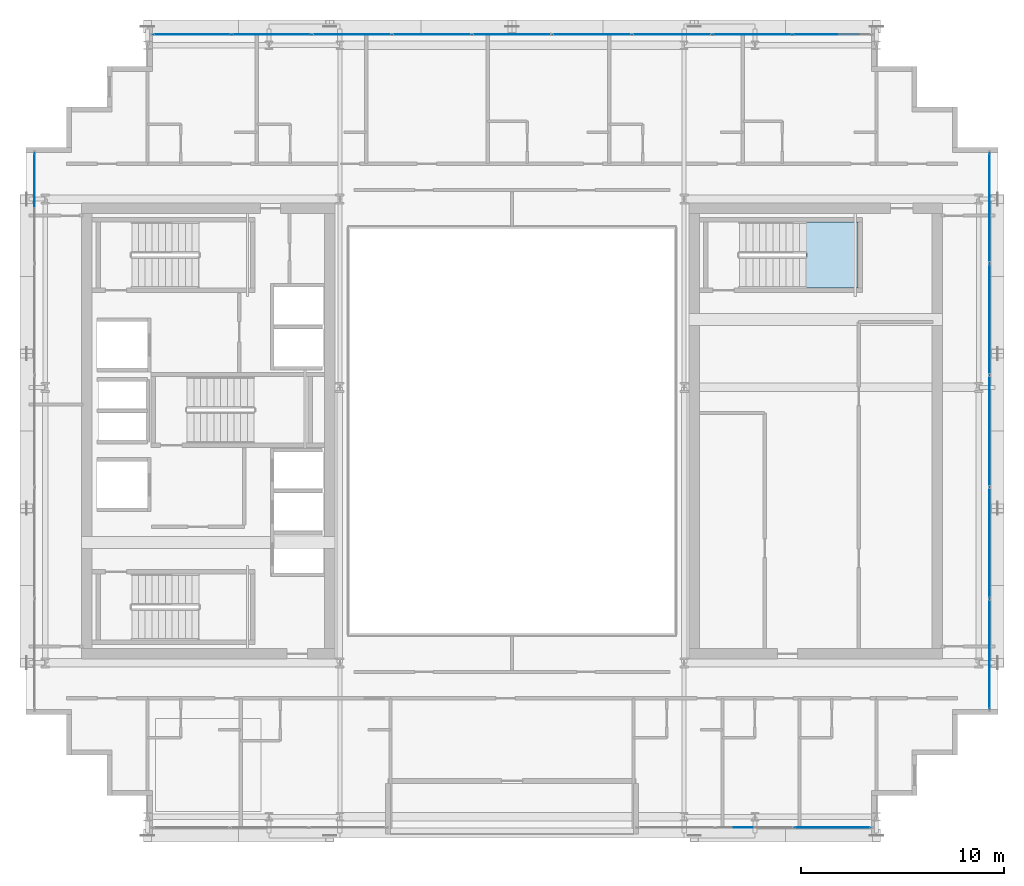
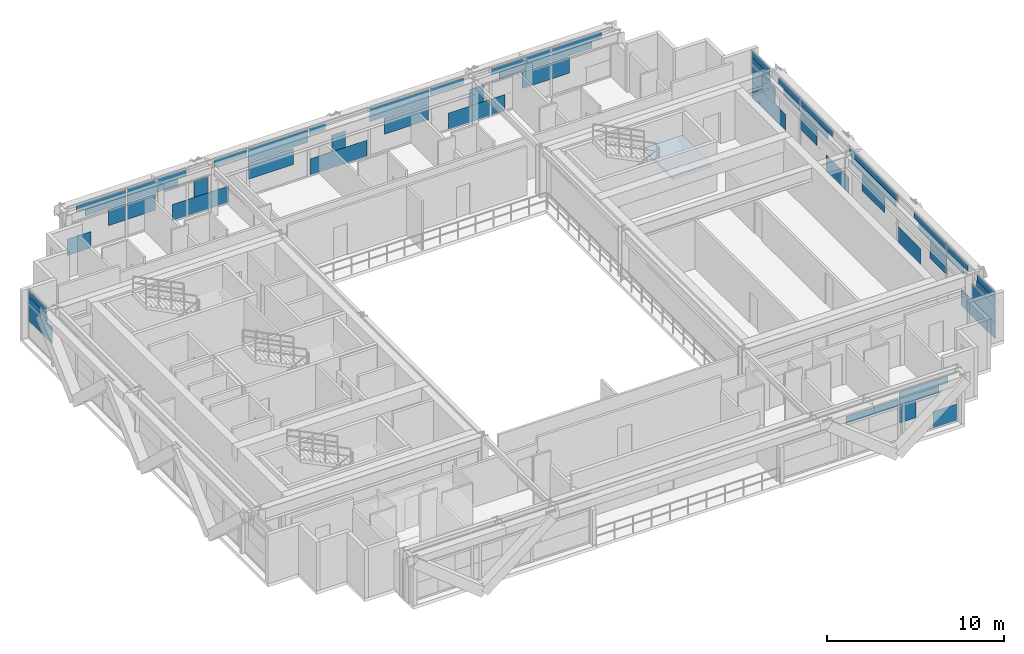
# One storey, part 21 of 32: 59 plates, 1 slab, 5 elements without a shape of their own.
"""IFC4 building model written with IfcOpenShell, lengths in metres."""

from ifc_helpers import new_model, si_unit, direction, frame, origin, origin_2d, place, context, subcontext, project, spatial, polyline, rectangle, outline, extrude, source, transform, mapped, material, layer, layer_set, type_object, element, aggregate, save


model = new_model("IFC4")

# Units and contexts
model_context = context("Model", 3, precision=1e-05, world=origin(), true_north=direction((0.0, 1.0)))
body_context = subcontext(model_context, "Body", "Model", "MODEL_VIEW")
ifc_project = project(units=[si_unit("LENGTHUNIT", "METRE"), si_unit("AREAUNIT", "SQUARE_METRE"), si_unit("VOLUMEUNIT", "CUBIC_METRE"), si_unit("PLANEANGLEUNIT", "RADIAN"), si_unit("MASSUNIT", "GRAM", prefix="KILO")], contexts=[model_context])

# Site, building, storey
site_placement = place(None, origin())
site = spatial("IfcSite", under=ifc_project, at=site_placement, CompositionType="ELEMENT")
building_placement = place(site_placement, origin())
building = spatial("IfcBuilding", under=site, at=building_placement, Name="Ocotamira Hotel", CompositionType="ELEMENT")
storey_placement = place(building_placement, frame((0.0, 0.0, 206.39990234375)))
storey = spatial("IfcBuildingStorey", under=building, at=storey_placement, Name="L52", CompositionType="ELEMENT", Elevation=206.39990234375)

# Stair, slab
ifc_material_1 = material(Name="Concrete C40/50", Category="concrete")
stair_type = type_object("IfcStairType", Name="ST-CORE-1560", PredefinedType="HALF_TURN_STAIR", material=ifc_material_1)
stair_placement = place(storey_placement, origin())
stair = element("IfcStair", 1, at=stair_placement, inside=storey, type_object=stair_type, Name="L52 Exit Stair ST-4", PredefinedType="HALF_TURN_STAIR")
ifc_layer_1 = layer(ifc_material_1, 0.199951171875)
ifc_layer_set_1 = layer_set([ifc_layer_1], Name="Concrete C40/50")
slab_type = type_object("IfcSlabType", Name="SLB-LAND-200", PredefinedType="LANDING", material=ifc_layer_set_1)
slab_placement = place(storey_placement, frame((0.0, 0.0, 1.60009765625)))
slab = element("IfcSlab", 2, at=slab_placement, type_object=slab_type, Name="ST-4 landing 1", PredefinedType="LANDING", context=body_context, shape_type="SweptSolid", body=[
    extrude(outline(polyline([(46.530029296875, 33.050048828125), (49.090087890625, 33.050048828125), (49.090087890625, 36.330078125), (46.530029296875, 36.330078125), (46.530029296875, 33.050048828125)])), origin(), (0.0, 0.0, 1.0), 0.199951171875),
])
aggregate(stair, [slab])

# Curtain wall, plate
ifc_material_2 = material(Name="Anodised pale-metal aluminium and solar glass", Category="aluminium")
ifc_layer_2 = layer(ifc_material_2, 0.199951171875)
ifc_layer_set_2 = layer_set([ifc_layer_2], Name="Anodised pale-metal aluminium and solar glass")
curtain_wall_type = type_object("IfcCurtainWallType", Name="CW-SYS4-Z3", PredefinedType="NOTDEFINED", material=ifc_layer_set_2)
curtain_wall_1_placement = place(storey_placement, origin())
curtain_wall_1 = element("IfcCurtainWall", 3, at=curtain_wall_1_placement, inside=storey, type_object=curtain_wall_type, Name="L52 Curtain Wall CW-4 CW-L52-S2", PredefinedType="NOTDEFINED")
ifc_material_3 = material(Name="Double-silver low-E insulated solar glass", Category="glass")
ifc_layer_3 = layer(ifc_material_3, 0.031982421875)
ifc_layer_set_3 = layer_set([ifc_layer_3], Name="Double-silver low-E insulated solar glass")
plate_type = type_object("IfcPlateType", Name="CWP-VISION-32", PredefinedType="CURTAIN_PANEL", material=ifc_layer_set_3)
shared_shape_1 = source(origin(), body_context, "Body", "SweptSolid", [
    extrude(rectangle(XDim=1.5673828125, YDim=0.031982421875, at=origin_2d()), origin(), (0.0, 0.0, 1.0), 1.118896484375),
])
plate_1_placement = place(storey_placement, frame((48.936279296875, 6.419921875, 0.0751953125), z_axis=(0.0, 0.0, 1.0), x_axis=(1.0, 0.0, 0.0)))
plate_1 = element("IfcPlate", 4, at=plate_1_placement, type_object=plate_type, Name="CW-4 panel 3.1.2", PredefinedType="CURTAIN_PANEL", context=body_context, shape_type="MappedRepresentation", body=[
    mapped(shared_shape_1, transform((0.0, 0.0, 0.0), scale=1.0)),
])

# Curtain wall, plates
curtain_wall_2_placement = place(storey_placement, origin())
curtain_wall_2 = element("IfcCurtainWall", 5, at=curtain_wall_2_placement, inside=storey, type_object=curtain_wall_type, Name="L52 Curtain Wall CW-4 CW-L52-N", PredefinedType="NOTDEFINED")
plate_2_placement = place(storey_placement, frame((15.063720703125, 45.580078125, 0.0751953125), z_axis=(0.0, 0.0, 1.0), x_axis=(1.0, 0.0, 0.0)))
plate_2 = element("IfcPlate", 6, at=plate_2_placement, type_object=plate_type, Name="CW-4 panel 1.1.1", PredefinedType="CURTAIN_PANEL", context=body_context, shape_type="MappedRepresentation", body=[
    mapped(shared_shape_1, transform((0.0, 0.0, 0.0), scale=1.0)),
])
shared_shape_2 = source(origin(), body_context, "Body", "SweptSolid", [
    extrude(rectangle(XDim=3.233154296875, YDim=0.031982421875, at=origin_2d()), origin(), (0.0, 0.0, 1.0), 0.4326171875),
])
plate_3_placement = place(storey_placement, frame((16.4990234375, 45.580078125, 2.862548828125), z_axis=(0.0, 0.0, 1.0), x_axis=(1.0, 0.0, 0.0)))
plate_3 = element("IfcPlate", 7, at=plate_3_placement, type_object=plate_type, Name="CW-4 panel 1.2.1", PredefinedType="CURTAIN_PANEL", context=body_context, shape_type="MappedRepresentation", body=[
    mapped(shared_shape_2, transform((0.0, 0.0, 0.0), scale=1.0)),
])
plate_4_placement = place(storey_placement, frame((47.5009765625, 45.580078125, 2.862548828125), z_axis=(0.0, 0.0, 1.0), x_axis=(1.0, 0.0, 0.0)))
plate_4 = element("IfcPlate", 8, at=plate_4_placement, type_object=plate_type, Name="CW-4 panel 9.2.2", PredefinedType="CURTAIN_PANEL", context=body_context, shape_type="MappedRepresentation", body=[
    mapped(shared_shape_2, transform((0.0, 0.0, 0.0), scale=1.0)),
])
shared_shape_3 = source(origin(), body_context, "Body", "SweptSolid", [
    extrude(rectangle(XDim=2.6396484375, YDim=0.031982421875, at=origin_2d()), origin(), (0.0, 0.0, 1.0), 0.443603515625),
])
plate_5_placement = place(storey_placement, frame((16.795654296875, 45.580078125, 2.3876953125), z_axis=(0.0, 0.0, 1.0), x_axis=(1.0, 0.0, 0.0)))
plate_5 = element("IfcPlate", 9, at=plate_5_placement, type_object=plate_type, Name="CW-4 panel 1.2.2", PredefinedType="CURTAIN_PANEL", context=body_context, shape_type="MappedRepresentation", body=[
    mapped(shared_shape_3, transform((0.0, 0.0, 0.0), scale=1.0)),
])
plate_6_placement = place(storey_placement, frame((47.204345703125, 45.580078125, 2.3876953125), z_axis=(0.0, 0.0, 1.0), x_axis=(1.0, 0.0, 0.0)))
plate_6 = element("IfcPlate", 10, at=plate_6_placement, type_object=plate_type, Name="CW-4 panel 9.2.1", PredefinedType="CURTAIN_PANEL", context=body_context, shape_type="MappedRepresentation", body=[
    mapped(shared_shape_3, transform((0.0, 0.0, 0.0), scale=1.0)),
])
shared_shape_4 = source(origin(), body_context, "Body", "SweptSolid", [
    extrude(rectangle(XDim=0.918701171875, YDim=0.031982421875, at=origin_2d()), origin(), (0.0, 0.0, 1.0), 1.118896484375),
])
plate_7_placement = place(storey_placement, frame((21.61181640625, 45.580078125, 0.0751953125), z_axis=(0.0, 0.0, 1.0), x_axis=(1.0, 0.0, 0.0)))
plate_7 = element("IfcPlate", 11, at=plate_7_placement, type_object=plate_type, Name="CW-4 panel 2.1.2", PredefinedType="CURTAIN_PANEL", context=body_context, shape_type="MappedRepresentation", body=[
    mapped(shared_shape_4, transform((0.0, 0.0, 0.0), scale=1.0)),
])
plate_8_placement = place(storey_placement, frame((42.38818359375, 45.580078125, 0.0751953125), z_axis=(0.0, 0.0, 1.0), x_axis=(1.0, 0.0, 0.0)))
plate_8 = element("IfcPlate", 12, at=plate_8_placement, type_object=plate_type, Name="CW-4 panel 8.1.1", PredefinedType="CURTAIN_PANEL", context=body_context, shape_type="MappedRepresentation", body=[
    mapped(shared_shape_4, transform((0.0, 0.0, 0.0), scale=1.0)),
])
shared_shape_5 = source(origin(), body_context, "Body", "SweptSolid", [
    extrude(rectangle(XDim=3.32861328125, YDim=0.031982421875, at=origin_2d()), origin(), (0.0, 0.0, 1.0), 0.474853515625),
])
plate_9_placement = place(storey_placement, frame((19.85986328125, 45.580078125, 2.3876953125), z_axis=(0.0, 0.0, 1.0), x_axis=(1.0, 0.0, 0.0)))
plate_9 = element("IfcPlate", 13, at=plate_9_placement, type_object=plate_type, Name="CW-4 panel 2.2.1", PredefinedType="CURTAIN_PANEL", context=body_context, shape_type="MappedRepresentation", body=[
    mapped(shared_shape_5, transform((0.0, 0.0, 0.0), scale=1.0)),
])
plate_10_placement = place(storey_placement, frame((44.14013671875, 45.580078125, 2.3876953125), z_axis=(0.0, 0.0, 1.0), x_axis=(1.0, 0.0, 0.0)))
plate_10 = element("IfcPlate", 14, at=plate_10_placement, type_object=plate_type, Name="CW-4 panel 8.2.2", PredefinedType="CURTAIN_PANEL", context=body_context, shape_type="MappedRepresentation", body=[
    mapped(shared_shape_5, transform((0.0, 0.0, 0.0), scale=1.0)),
])
shared_shape_6 = source(origin(), body_context, "Body", "SweptSolid", [
    extrude(rectangle(XDim=3.87548828125, YDim=0.031982421875, at=origin_2d()), origin(), (0.0, 0.0, 1.0), 0.4326171875),
])
plate_11_placement = place(storey_placement, frame((20.13330078125, 45.580078125, 2.862548828125), z_axis=(0.0, 0.0, 1.0), x_axis=(1.0, 0.0, 0.0)))
plate_11 = element("IfcPlate", 15, at=plate_11_placement, type_object=plate_type, Name="CW-4 panel 2.2.2", PredefinedType="CURTAIN_PANEL", context=body_context, shape_type="MappedRepresentation", body=[
    mapped(shared_shape_6, transform((0.0, 0.0, 0.0), scale=1.0)),
])
plate_12_placement = place(storey_placement, frame((43.86669921875, 45.580078125, 2.862548828125), z_axis=(0.0, 0.0, 1.0), x_axis=(1.0, 0.0, 0.0)))
plate_12 = element("IfcPlate", 16, at=plate_12_placement, type_object=plate_type, Name="CW-4 panel 8.2.1", PredefinedType="CURTAIN_PANEL", context=body_context, shape_type="MappedRepresentation", body=[
    mapped(shared_shape_6, transform((0.0, 0.0, 0.0), scale=1.0)),
])
shared_shape_7 = source(origin(), body_context, "Body", "SweptSolid", [
    extrude(rectangle(XDim=2.6962890625, YDim=0.031982421875, at=origin_2d()), origin(), (0.0, 0.0, 1.0), 1.118896484375),
])
plate_13_placement = place(storey_placement, frame((23.499267578125, 45.580078125, 0.0751953125), z_axis=(0.0, 0.0, 1.0), x_axis=(1.0, 0.0, 0.0)))
plate_13 = element("IfcPlate", 17, at=plate_13_placement, type_object=plate_type, Name="CW-4 panel 3.1.1", PredefinedType="CURTAIN_PANEL", context=body_context, shape_type="MappedRepresentation", body=[
    mapped(shared_shape_7, transform((0.0, 0.0, 0.0), scale=1.0)),
])
plate_14_placement = place(storey_placement, frame((40.500732421875, 45.580078125, 0.0751953125), z_axis=(0.0, 0.0, 1.0), x_axis=(1.0, 0.0, 0.0)))
plate_14 = element("IfcPlate", 18, at=plate_14_placement, type_object=plate_type, Name="CW-4 panel 7.1.1", PredefinedType="CURTAIN_PANEL", context=body_context, shape_type="MappedRepresentation", body=[
    mapped(shared_shape_7, transform((0.0, 0.0, 0.0), scale=1.0)),
])
shared_shape_8 = source(origin(), body_context, "Body", "SweptSolid", [
    extrude(rectangle(XDim=2.144287109375, YDim=0.031982421875, at=origin_2d()), origin(), (0.0, 0.0, 1.0), 0.4326171875),
])
plate_15_placement = place(storey_placement, frame((24.95458984375, 45.580078125, 2.862548828125), z_axis=(0.0, 0.0, 1.0), x_axis=(1.0, 0.0, 0.0)))
plate_15 = element("IfcPlate", 19, at=plate_15_placement, type_object=plate_type, Name="CW-4 panel 3.2.1", PredefinedType="CURTAIN_PANEL", context=body_context, shape_type="MappedRepresentation", body=[
    mapped(shared_shape_8, transform((0.0, 0.0, 0.0), scale=1.0)),
])
plate_16_placement = place(storey_placement, frame((39.04541015625, 45.580078125, 2.862548828125), z_axis=(0.0, 0.0, 1.0), x_axis=(1.0, 0.0, 0.0)))
plate_16 = element("IfcPlate", 20, at=plate_16_placement, type_object=plate_type, Name="CW-4 panel 7.2.1", PredefinedType="CURTAIN_PANEL", context=body_context, shape_type="MappedRepresentation", body=[
    mapped(shared_shape_8, transform((0.0, 0.0, 0.0), scale=1.0)),
])
shared_shape_9 = source(origin(), body_context, "Body", "SweptSolid", [
    extrude(rectangle(XDim=3.87548828125, YDim=0.031982421875, at=origin_2d()), origin(), (0.0, 0.0, 1.0), 0.907470703125),
])
plate_17_placement = place(storey_placement, frame((28.04443359375, 45.580078125, 2.3876953125), z_axis=(0.0, 0.0, 1.0), x_axis=(1.0, 0.0, 0.0)))
plate_17 = element("IfcPlate", 21, at=plate_17_placement, type_object=plate_type, Name="CW-4 panel 4.2", PredefinedType="CURTAIN_PANEL", context=body_context, shape_type="MappedRepresentation", body=[
    mapped(shared_shape_9, transform((0.0, 0.0, 0.0), scale=1.0)),
])
plate_18_placement = place(storey_placement, frame((35.95556640625, 45.580078125, 2.3876953125), z_axis=(0.0, 0.0, 1.0), x_axis=(1.0, 0.0, 0.0)))
plate_18 = element("IfcPlate", 22, at=plate_18_placement, type_object=plate_type, Name="CW-4 panel 6.2", PredefinedType="CURTAIN_PANEL", context=body_context, shape_type="MappedRepresentation", body=[
    mapped(shared_shape_9, transform((0.0, 0.0, 0.0), scale=1.0)),
])
shared_shape_10 = source(origin(), body_context, "Body", "SweptSolid", [
    extrude(rectangle(XDim=3.695068359375, YDim=0.031982421875, at=origin_2d()), origin(), (0.0, 0.0, 1.0), 1.118896484375),
])
plate_19_placement = place(storey_placement, frame((32.0, 45.580078125, 0.0751953125), z_axis=(0.0, 0.0, 1.0), x_axis=(1.0, 0.0, 0.0)))
plate_19 = element("IfcPlate", 23, at=plate_19_placement, type_object=plate_type, Name="CW-4 panel 5.1.1", PredefinedType="CURTAIN_PANEL", context=body_context, shape_type="MappedRepresentation", body=[
    mapped(shared_shape_10, transform((0.0, 0.0, 0.0), scale=1.0)),
])
shared_shape_11 = source(origin(), body_context, "Body", "SweptSolid", [
    extrude(rectangle(XDim=1.055419921875, YDim=0.031982421875, at=origin_2d()), origin(), (0.0, 0.0, 1.0), 0.4326171875),
])
plate_20_placement = place(storey_placement, frame((30.58984375, 45.580078125, 2.862548828125), z_axis=(0.0, 0.0, 1.0), x_axis=(1.0, 0.0, 0.0)))
plate_20 = element("IfcPlate", 24, at=plate_20_placement, type_object=plate_type, Name="CW-4 panel 5.2.1", PredefinedType="CURTAIN_PANEL", context=body_context, shape_type="MappedRepresentation", body=[
    mapped(shared_shape_11, transform((0.0, 0.0, 0.0), scale=1.0)),
])

curtain_wall_3_placement = place(storey_placement, origin())
curtain_wall_3 = element("IfcCurtainWall", 25, at=curtain_wall_3_placement, inside=storey, type_object=curtain_wall_type, Name="L52 Curtain Wall CW-4 CW-L52-E", PredefinedType="NOTDEFINED")
shared_shape_12 = source(origin(), body_context, "Body", "SweptSolid", [
    extrude(rectangle(XDim=3.802001953125, YDim=0.031982421875, at=origin_2d()), origin(), (0.0, 0.0, 1.0), 1.118896484375),
])
plate_21_placement = place(storey_placement, frame((55.580078125, 14.180908203125, 0.0751953125), z_axis=(0.0, 0.0, 1.0), x_axis=(0.0, 1.0, 0.0)))
plate_21 = element("IfcPlate", 26, at=plate_21_placement, type_object=plate_type, Name="CW-4 panel 1.1.1", PredefinedType="CURTAIN_PANEL", context=body_context, shape_type="MappedRepresentation", body=[
    mapped(shared_shape_12, transform((0.0, 0.0, 0.0), scale=1.0)),
])
plate_22_placement = place(storey_placement, frame((55.580078125, 37.819091796875, 0.0751953125), z_axis=(0.0, 0.0, 1.0), x_axis=(0.0, 1.0, 0.0)))
plate_22 = element("IfcPlate", 27, at=plate_22_placement, type_object=plate_type, Name="CW-4 panel 5.1.1", PredefinedType="CURTAIN_PANEL", context=body_context, shape_type="MappedRepresentation", body=[
    mapped(shared_shape_12, transform((0.0, 0.0, 0.0), scale=1.0)),
])

# Curtain wall, plate
curtain_wall_4_placement = place(storey_placement, origin())
curtain_wall_4 = element("IfcCurtainWall", 28, at=curtain_wall_4_placement, inside=storey, type_object=curtain_wall_type, Name="L52 Curtain Wall CW-4 CW-L52-W", PredefinedType="NOTDEFINED")
shared_shape_13 = source(origin(), body_context, "Body", "SweptSolid", [
    extrude(rectangle(XDim=2.048095703125, YDim=0.031982421875, at=origin_2d()), origin(), (0.0, 0.0, 1.0), 0.460693359375),
])
plate_23_placement = place(storey_placement, frame((8.419921875, 38.696044921875, 2.3876953125), z_axis=(0.0, 0.0, 1.0), x_axis=(0.0, 1.0, 0.0)))
plate_23 = element("IfcPlate", 29, at=plate_23_placement, type_object=plate_type, Name="CW-4 panel 5.2.3", PredefinedType="CURTAIN_PANEL", context=body_context, shape_type="MappedRepresentation", body=[
    mapped(shared_shape_13, transform((0.0, 0.0, 0.0), scale=1.0)),
])

# Plate
plate_24_placement = place(storey_placement, frame((55.580078125, 13.303955078125, 2.3876953125), z_axis=(0.0, 0.0, 1.0), x_axis=(0.0, 1.0, 0.0)))
plate_24 = element("IfcPlate", 30, at=plate_24_placement, type_object=plate_type, Name="CW-4 panel 1.2.1", PredefinedType="CURTAIN_PANEL", context=body_context, shape_type="MappedRepresentation", body=[
    mapped(shared_shape_13, transform((0.0, 0.0, 0.0), scale=1.0)),
])

plate_25_placement = place(storey_placement, frame((55.580078125, 38.696044921875, 2.3876953125), z_axis=(0.0, 0.0, 1.0), x_axis=(0.0, 1.0, 0.0)))
plate_25 = element("IfcPlate", 31, at=plate_25_placement, type_object=plate_type, Name="CW-4 panel 5.2.3", PredefinedType="CURTAIN_PANEL", context=body_context, shape_type="MappedRepresentation", body=[
    mapped(shared_shape_13, transform((0.0, 0.0, 0.0), scale=1.0)),
])

shared_shape_14 = source(origin(), body_context, "Body", "SweptSolid", [
    extrude(rectangle(XDim=2.01171875, YDim=0.031982421875, at=origin_2d()), origin(), (0.0, 0.0, 1.0), 0.44677734375),
])
plate_26_placement = place(storey_placement, frame((8.419921875, 38.714111328125, 2.848388671875), z_axis=(0.0, 0.0, 1.0), x_axis=(0.0, 1.0, 0.0)))
plate_26 = element("IfcPlate", 32, at=plate_26_placement, type_object=plate_type, Name="CW-4 panel 5.2.4", PredefinedType="CURTAIN_PANEL", context=body_context, shape_type="MappedRepresentation", body=[
    mapped(shared_shape_14, transform((0.0, 0.0, 0.0), scale=1.0)),
])

plate_27_placement = place(storey_placement, frame((55.580078125, 13.285888671875, 2.848388671875), z_axis=(0.0, 0.0, 1.0), x_axis=(0.0, 1.0, 0.0)))
plate_27 = element("IfcPlate", 33, at=plate_27_placement, type_object=plate_type, Name="CW-4 panel 1.2.2", PredefinedType="CURTAIN_PANEL", context=body_context, shape_type="MappedRepresentation", body=[
    mapped(shared_shape_14, transform((0.0, 0.0, 0.0), scale=1.0)),
])

plate_28_placement = place(storey_placement, frame((55.580078125, 38.714111328125, 2.848388671875), z_axis=(0.0, 0.0, 1.0), x_axis=(0.0, 1.0, 0.0)))
plate_28 = element("IfcPlate", 34, at=plate_28_placement, type_object=plate_type, Name="CW-4 panel 5.2.4", PredefinedType="CURTAIN_PANEL", context=body_context, shape_type="MappedRepresentation", body=[
    mapped(shared_shape_14, transform((0.0, 0.0, 0.0), scale=1.0)),
])

shared_shape_15 = source(origin(), body_context, "Body", "SweptSolid", [
    extrude(rectangle(XDim=2.3681640625, YDim=0.031982421875, at=origin_2d()), origin(), (0.0, 0.0, 1.0), 0.41259765625),
])
plate_29_placement = place(storey_placement, frame((55.580078125, 16.495849609375, 2.882568359375), z_axis=(0.0, 0.0, 1.0), x_axis=(0.0, 1.0, 0.0)))
plate_29 = element("IfcPlate", 35, at=plate_29_placement, type_object=plate_type, Name="CW-4 panel 1.2.3", PredefinedType="CURTAIN_PANEL", context=body_context, shape_type="MappedRepresentation", body=[
    mapped(shared_shape_15, transform((0.0, 0.0, 0.0), scale=1.0)),
])

plate_30_placement = place(storey_placement, frame((55.580078125, 35.504150390625, 2.882568359375), z_axis=(0.0, 0.0, 1.0), x_axis=(0.0, 1.0, 0.0)))
plate_30 = element("IfcPlate", 36, at=plate_30_placement, type_object=plate_type, Name="CW-4 panel 5.2.2", PredefinedType="CURTAIN_PANEL", context=body_context, shape_type="MappedRepresentation", body=[
    mapped(shared_shape_15, transform((0.0, 0.0, 0.0), scale=1.0)),
])

shared_shape_16 = source(origin(), body_context, "Body", "SweptSolid", [
    extrude(rectangle(XDim=1.84326171875, YDim=0.031982421875, at=origin_2d()), origin(), (0.0, 0.0, 1.0), 0.460693359375),
])
plate_31_placement = place(storey_placement, frame((55.580078125, 16.75830078125, 2.3876953125), z_axis=(0.0, 0.0, 1.0), x_axis=(0.0, 1.0, 0.0)))
plate_31 = element("IfcPlate", 37, at=plate_31_placement, type_object=plate_type, Name="CW-4 panel 1.2.4", PredefinedType="CURTAIN_PANEL", context=body_context, shape_type="MappedRepresentation", body=[
    mapped(shared_shape_16, transform((0.0, 0.0, 0.0), scale=1.0)),
])

plate_32_placement = place(storey_placement, frame((55.580078125, 35.24169921875, 2.3876953125), z_axis=(0.0, 0.0, 1.0), x_axis=(0.0, 1.0, 0.0)))
plate_32 = element("IfcPlate", 38, at=plate_32_placement, type_object=plate_type, Name="CW-4 panel 5.2.1", PredefinedType="CURTAIN_PANEL", context=body_context, shape_type="MappedRepresentation", body=[
    mapped(shared_shape_16, transform((0.0, 0.0, 0.0), scale=1.0)),
])

shared_shape_17 = source(origin(), body_context, "Body", "SweptSolid", [
    extrude(rectangle(XDim=2.548828125, YDim=0.031982421875, at=origin_2d()), origin(), (0.0, 0.0, 1.0), 1.118896484375),
])
plate_33_placement = place(storey_placement, frame((55.580078125, 21.925537109375, 0.0751953125), z_axis=(0.0, 0.0, 1.0), x_axis=(0.0, 1.0, 0.0)))
plate_33 = element("IfcPlate", 39, at=plate_33_placement, type_object=plate_type, Name="CW-4 panel 2.1.2", PredefinedType="CURTAIN_PANEL", context=body_context, shape_type="MappedRepresentation", body=[
    mapped(shared_shape_17, transform((0.0, 0.0, 0.0), scale=1.0)),
])

plate_34_placement = place(storey_placement, frame((55.580078125, 30.074462890625, 0.0751953125), z_axis=(0.0, 0.0, 1.0), x_axis=(0.0, 1.0, 0.0)))
plate_34 = element("IfcPlate", 40, at=plate_34_placement, type_object=plate_type, Name="CW-4 panel 4.1.1", PredefinedType="CURTAIN_PANEL", context=body_context, shape_type="MappedRepresentation", body=[
    mapped(shared_shape_17, transform((0.0, 0.0, 0.0), scale=1.0)),
])

shared_shape_18 = source(origin(), body_context, "Body", "SweptSolid", [
    extrude(rectangle(XDim=3.13671875, YDim=0.031982421875, at=origin_2d()), origin(), (0.0, 0.0, 1.0), 0.460693359375),
])
plate_35_placement = place(storey_placement, frame((55.580078125, 19.328369140625, 2.3876953125), z_axis=(0.0, 0.0, 1.0), x_axis=(0.0, 1.0, 0.0)))
plate_35 = element("IfcPlate", 41, at=plate_35_placement, type_object=plate_type, Name="CW-4 panel 2.2.1", PredefinedType="CURTAIN_PANEL", context=body_context, shape_type="MappedRepresentation", body=[
    mapped(shared_shape_18, transform((0.0, 0.0, 0.0), scale=1.0)),
])

plate_36_placement = place(storey_placement, frame((55.580078125, 32.671630859375, 2.3876953125), z_axis=(0.0, 0.0, 1.0), x_axis=(0.0, 1.0, 0.0)))
plate_36 = element("IfcPlate", 42, at=plate_36_placement, type_object=plate_type, Name="CW-4 panel 4.2.2", PredefinedType="CURTAIN_PANEL", context=body_context, shape_type="MappedRepresentation", body=[
    mapped(shared_shape_18, transform((0.0, 0.0, 0.0), scale=1.0)),
])

shared_shape_19 = source(origin(), body_context, "Body", "SweptSolid", [
    extrude(rectangle(XDim=3.66162109375, YDim=0.031982421875, at=origin_2d()), origin(), (0.0, 0.0, 1.0), 0.41259765625),
])
plate_37_placement = place(storey_placement, frame((55.580078125, 19.5908203125, 2.882568359375), z_axis=(0.0, 0.0, 1.0), x_axis=(0.0, 1.0, 0.0)))
plate_37 = element("IfcPlate", 43, at=plate_37_placement, type_object=plate_type, Name="CW-4 panel 2.2.2", PredefinedType="CURTAIN_PANEL", context=body_context, shape_type="MappedRepresentation", body=[
    mapped(shared_shape_19, transform((0.0, 0.0, 0.0), scale=1.0)),
])

plate_38_placement = place(storey_placement, frame((55.580078125, 32.4091796875, 2.882568359375), z_axis=(0.0, 0.0, 1.0), x_axis=(0.0, 1.0, 0.0)))
plate_38 = element("IfcPlate", 44, at=plate_38_placement, type_object=plate_type, Name="CW-4 panel 4.2.1", PredefinedType="CURTAIN_PANEL", context=body_context, shape_type="MappedRepresentation", body=[
    mapped(shared_shape_19, transform((0.0, 0.0, 0.0), scale=1.0)),
])

shared_shape_20 = source(origin(), body_context, "Body", "SweptSolid", [
    extrude(rectangle(XDim=5.43994140625, YDim=0.031982421875, at=origin_2d()), origin(), (0.0, 0.0, 1.0), 0.41259765625),
])
plate_39_placement = place(storey_placement, frame((55.580078125, 26.0, 2.882568359375), z_axis=(0.0, 0.0, 1.0), x_axis=(0.0, 1.0, 0.0)))
plate_39 = element("IfcPlate", 45, at=plate_39_placement, type_object=plate_type, Name="CW-4 panel 3.2.1", PredefinedType="CURTAIN_PANEL", context=body_context, shape_type="MappedRepresentation", body=[
    mapped(shared_shape_20, transform((0.0, 0.0, 0.0), scale=1.0)),
])

shared_shape_21 = source(origin(), body_context, "Body", "SweptSolid", [
    extrude(rectangle(XDim=5.06005859375, YDim=0.031982421875, at=origin_2d()), origin(), (0.0, 0.0, 1.0), 0.4951171875),
])
plate_40_placement = place(storey_placement, frame((55.580078125, 26.0, 2.387451171875), z_axis=(0.0, 0.0, 1.0), x_axis=(0.0, 1.0, 0.0)))
plate_40 = element("IfcPlate", 46, at=plate_40_placement, type_object=plate_type, Name="CW-4 panel 3.2.2", PredefinedType="CURTAIN_PANEL", context=body_context, shape_type="MappedRepresentation", body=[
    mapped(shared_shape_21, transform((0.0, 0.0, 0.0), scale=1.0)),
])

shared_shape_22 = source(origin(), body_context, "Body", "SweptSolid", [
    extrude(rectangle(XDim=0.898193359375, YDim=0.031982421875, at=origin_2d()), origin(), (0.0, 0.0, 1.0), 1.118896484375),
])
plate_41_placement = place(storey_placement, frame((23.0, 45.580078125, 1.19384765625), z_axis=(0.0, 0.0, 1.0), x_axis=(1.0, 0.0, 0.0)))
plate_41 = element("IfcPlate", 47, at=plate_41_placement, type_object=plate_type, Name="CW-4 panel 3.1.2", PredefinedType="CURTAIN_PANEL", context=body_context, shape_type="MappedRepresentation", body=[
    mapped(shared_shape_22, transform((0.0, 0.0, 0.0), scale=1.0)),
])

plate_42_placement = place(storey_placement, frame((32.0, 45.580078125, 1.19384765625), z_axis=(0.0, 0.0, 1.0), x_axis=(1.0, 0.0, 0.0)))
plate_42 = element("IfcPlate", 48, at=plate_42_placement, type_object=plate_type, Name="CW-4 panel 5.1.2", PredefinedType="CURTAIN_PANEL", context=body_context, shape_type="MappedRepresentation", body=[
    mapped(shared_shape_22, transform((0.0, 0.0, 0.0), scale=1.0)),
])

plate_43_placement = place(storey_placement, frame((41.0, 45.580078125, 1.19384765625), z_axis=(0.0, 0.0, 1.0), x_axis=(1.0, 0.0, 0.0)))
plate_43 = element("IfcPlate", 49, at=plate_43_placement, type_object=plate_type, Name="CW-4 panel 7.1.2", PredefinedType="CURTAIN_PANEL", context=body_context, shape_type="MappedRepresentation", body=[
    mapped(shared_shape_22, transform((0.0, 0.0, 0.0), scale=1.0)),
])

shared_shape_23 = source(origin(), body_context, "Body", "SweptSolid", [
    extrude(rectangle(XDim=1.0751953125, YDim=0.031982421875, at=origin_2d()), origin(), (0.0, 0.0, 1.0), 1.118896484375),
])
plate_44_placement = place(storey_placement, frame((46.494384765625, 6.419921875, 1.19384765625), z_axis=(0.0, 0.0, 1.0), x_axis=(1.0, 0.0, 0.0)))
plate_44 = element("IfcPlate", 50, at=plate_44_placement, type_object=plate_type, Name="CW-4 panel 3.1.1", PredefinedType="CURTAIN_PANEL", context=body_context, shape_type="MappedRepresentation", body=[
    mapped(shared_shape_23, transform((0.0, 0.0, 0.0), scale=1.0)),
])

shared_shape_24 = source(origin(), body_context, "Body", "SweptSolid", [
    extrude(rectangle(XDim=3.160888671875, YDim=0.031982421875, at=origin_2d()), origin(), (0.0, 0.0, 1.0), 0.4326171875),
])
plate_45_placement = place(storey_placement, frame((47.537109375, 6.419921875, 2.862548828125), z_axis=(0.0, 0.0, 1.0), x_axis=(1.0, 0.0, 0.0)))
plate_45 = element("IfcPlate", 51, at=plate_45_placement, type_object=plate_type, Name="CW-4 panel 3.2.2", PredefinedType="CURTAIN_PANEL", context=body_context, shape_type="MappedRepresentation", body=[
    mapped(shared_shape_24, transform((0.0, 0.0, 0.0), scale=1.0)),
])

shared_shape_25 = source(origin(), body_context, "Body", "SweptSolid", [
    extrude(rectangle(XDim=2.5673828125, YDim=0.031982421875, at=origin_2d()), origin(), (0.0, 0.0, 1.0), 0.443603515625),
])
plate_46_placement = place(storey_placement, frame((47.240478515625, 6.419921875, 2.3876953125), z_axis=(0.0, 0.0, 1.0), x_axis=(1.0, 0.0, 0.0)))
plate_46 = element("IfcPlate", 52, at=plate_46_placement, type_object=plate_type, Name="CW-4 panel 3.2.1", PredefinedType="CURTAIN_PANEL", context=body_context, shape_type="MappedRepresentation", body=[
    mapped(shared_shape_25, transform((0.0, 0.0, 0.0), scale=1.0)),
])

shared_shape_26 = source(origin(), body_context, "Body", "SweptSolid", [
    extrude(rectangle(XDim=3.40087890625, YDim=0.031982421875, at=origin_2d()), origin(), (0.0, 0.0, 1.0), 0.474853515625),
])
plate_47_placement = place(storey_placement, frame((44.17626953125, 6.419921875, 2.3876953125), z_axis=(0.0, 0.0, 1.0), x_axis=(1.0, 0.0, 0.0)))
plate_47 = element("IfcPlate", 53, at=plate_47_placement, type_object=plate_type, Name="CW-4 panel 2.2.2", PredefinedType="CURTAIN_PANEL", context=body_context, shape_type="MappedRepresentation", body=[
    mapped(shared_shape_26, transform((0.0, 0.0, 0.0), scale=1.0)),
])

aggregate(curtain_wall_1, [plate_47, plate_44, plate_1, plate_46, plate_45])

shared_shape_27 = source(origin(), body_context, "Body", "SweptSolid", [
    extrude(rectangle(XDim=1.1474609375, YDim=0.031982421875, at=origin_2d()), origin(), (0.0, 0.0, 1.0), 1.118896484375),
])
plate_48_placement = place(storey_placement, frame((17.541748046875, 45.580078125, 1.19384765625), z_axis=(0.0, 0.0, 1.0), x_axis=(1.0, 0.0, 0.0)))
plate_48 = element("IfcPlate", 54, at=plate_48_placement, type_object=plate_type, Name="CW-4 panel 1.1.2", PredefinedType="CURTAIN_PANEL", context=body_context, shape_type="MappedRepresentation", body=[
    mapped(shared_shape_27, transform((0.0, 0.0, 0.0), scale=1.0)),
])

plate_49_placement = place(storey_placement, frame((46.458251953125, 45.580078125, 1.19384765625), z_axis=(0.0, 0.0, 1.0), x_axis=(1.0, 0.0, 0.0)))
plate_49 = element("IfcPlate", 55, at=plate_49_placement, type_object=plate_type, Name="CW-4 panel 9.1.1", PredefinedType="CURTAIN_PANEL", context=body_context, shape_type="MappedRepresentation", body=[
    mapped(shared_shape_27, transform((0.0, 0.0, 0.0), scale=1.0)),
])

shared_shape_28 = source(origin(), body_context, "Body", "SweptSolid", [
    extrude(rectangle(XDim=1.83642578125, YDim=0.031982421875, at=origin_2d()), origin(), (0.0, 0.0, 1.0), 1.118896484375),
])
plate_50_placement = place(storey_placement, frame((19.11376953125, 45.580078125, 1.19384765625), z_axis=(0.0, 0.0, 1.0), x_axis=(1.0, 0.0, 0.0)))
plate_50 = element("IfcPlate", 56, at=plate_50_placement, type_object=plate_type, Name="CW-4 panel 2.1.1", PredefinedType="CURTAIN_PANEL", context=body_context, shape_type="MappedRepresentation", body=[
    mapped(shared_shape_28, transform((0.0, 0.0, 0.0), scale=1.0)),
])

plate_51_placement = place(storey_placement, frame((44.88623046875, 45.580078125, 1.19384765625), z_axis=(0.0, 0.0, 1.0), x_axis=(1.0, 0.0, 0.0)))
plate_51 = element("IfcPlate", 57, at=plate_51_placement, type_object=plate_type, Name="CW-4 panel 8.1.2", PredefinedType="CURTAIN_PANEL", context=body_context, shape_type="MappedRepresentation", body=[
    mapped(shared_shape_28, transform((0.0, 0.0, 0.0), scale=1.0)),
])

shared_shape_29 = source(origin(), body_context, "Body", "SweptSolid", [
    extrude(rectangle(XDim=2.92529296875, YDim=0.031982421875, at=origin_2d()), origin(), (0.0, 0.0, 1.0), 1.118896484375),
])
plate_52_placement = place(storey_placement, frame((27.5693359375, 45.580078125, 1.19384765625), z_axis=(0.0, 0.0, 1.0), x_axis=(1.0, 0.0, 0.0)))
plate_52 = element("IfcPlate", 58, at=plate_52_placement, type_object=plate_type, Name="CW-4 panel 4.1.1", PredefinedType="CURTAIN_PANEL", context=body_context, shape_type="MappedRepresentation", body=[
    mapped(shared_shape_29, transform((0.0, 0.0, 0.0), scale=1.0)),
])

plate_53_placement = place(storey_placement, frame((36.4306640625, 45.580078125, 1.19384765625), z_axis=(0.0, 0.0, 1.0), x_axis=(1.0, 0.0, 0.0)))
plate_53 = element("IfcPlate", 59, at=plate_53_placement, type_object=plate_type, Name="CW-4 panel 6.1.1", PredefinedType="CURTAIN_PANEL", context=body_context, shape_type="MappedRepresentation", body=[
    mapped(shared_shape_29, transform((0.0, 0.0, 0.0), scale=1.0)),
])

aggregate(curtain_wall_2, [plate_2, plate_48, plate_3, plate_5, plate_50, plate_7, plate_9, plate_11, plate_13, plate_41, plate_15, plate_52, plate_17, plate_19, plate_42, plate_20, plate_53, plate_18, plate_14, plate_43, plate_16, plate_8, plate_51, plate_12, plate_10, plate_49, plate_6, plate_4])

shared_shape_30 = source(origin(), body_context, "Body", "SweptSolid", [
    extrude(rectangle(XDim=2.615966796875, YDim=0.031982421875, at=origin_2d()), origin(), (0.0, 0.0, 1.0), 1.118896484375),
])
plate_54_placement = place(storey_placement, frame((8.419921875, 38.412109375, 1.19384765625), z_axis=(0.0, 0.0, 1.0), x_axis=(0.0, 1.0, 0.0)))
plate_54 = element("IfcPlate", 60, at=plate_54_placement, type_object=plate_type, Name="CW-4 panel 5.1.2", PredefinedType="CURTAIN_PANEL", context=body_context, shape_type="MappedRepresentation", body=[
    mapped(shared_shape_30, transform((0.0, 0.0, 0.0), scale=1.0)),
])

aggregate(curtain_wall_4, [plate_54, plate_23, plate_26])

plate_55_placement = place(storey_placement, frame((55.580078125, 13.587890625, 1.19384765625), z_axis=(0.0, 0.0, 1.0), x_axis=(0.0, 1.0, 0.0)))
plate_55 = element("IfcPlate", 61, at=plate_55_placement, type_object=plate_type, Name="CW-4 panel 1.1.2", PredefinedType="CURTAIN_PANEL", context=body_context, shape_type="MappedRepresentation", body=[
    mapped(shared_shape_30, transform((0.0, 0.0, 0.0), scale=1.0)),
])

plate_56_placement = place(storey_placement, frame((55.580078125, 38.412109375, 1.19384765625), z_axis=(0.0, 0.0, 1.0), x_axis=(0.0, 1.0, 0.0)))
plate_56 = element("IfcPlate", 62, at=plate_56_placement, type_object=plate_type, Name="CW-4 panel 5.1.2", PredefinedType="CURTAIN_PANEL", context=body_context, shape_type="MappedRepresentation", body=[
    mapped(shared_shape_30, transform((0.0, 0.0, 0.0), scale=1.0)),
])

shared_shape_31 = source(origin(), body_context, "Body", "SweptSolid", [
    extrude(rectangle(XDim=1.87109375, YDim=0.031982421875, at=origin_2d()), origin(), (0.0, 0.0, 1.0), 1.118896484375),
])
plate_57_placement = place(storey_placement, frame((55.580078125, 18.695556640625, 1.19384765625), z_axis=(0.0, 0.0, 1.0), x_axis=(0.0, 1.0, 0.0)))
plate_57 = element("IfcPlate", 63, at=plate_57_placement, type_object=plate_type, Name="CW-4 panel 2.1.1", PredefinedType="CURTAIN_PANEL", context=body_context, shape_type="MappedRepresentation", body=[
    mapped(shared_shape_31, transform((0.0, 0.0, 0.0), scale=1.0)),
])

plate_58_placement = place(storey_placement, frame((55.580078125, 33.304443359375, 1.19384765625), z_axis=(0.0, 0.0, 1.0), x_axis=(0.0, 1.0, 0.0)))
plate_58 = element("IfcPlate", 64, at=plate_58_placement, type_object=plate_type, Name="CW-4 panel 4.1.2", PredefinedType="CURTAIN_PANEL", context=body_context, shape_type="MappedRepresentation", body=[
    mapped(shared_shape_31, transform((0.0, 0.0, 0.0), scale=1.0)),
])

shared_shape_32 = source(origin(), body_context, "Body", "SweptSolid", [
    extrude(rectangle(XDim=2.52880859375, YDim=0.031982421875, at=origin_2d()), origin(), (0.0, 0.0, 1.0), 1.118896484375),
])
plate_59_placement = place(storey_placement, frame((55.580078125, 26.0, 1.19384765625), z_axis=(0.0, 0.0, 1.0), x_axis=(0.0, 1.0, 0.0)))
plate_59 = element("IfcPlate", 65, at=plate_59_placement, type_object=plate_type, Name="CW-4 panel 3.1.1", PredefinedType="CURTAIN_PANEL", context=body_context, shape_type="MappedRepresentation", body=[
    mapped(shared_shape_32, transform((0.0, 0.0, 0.0), scale=1.0)),
])

aggregate(curtain_wall_3, [plate_21, plate_55, plate_24, plate_27, plate_29, plate_31, plate_57, plate_33, plate_35, plate_37, plate_59, plate_39, plate_40, plate_34, plate_58, plate_38, plate_36, plate_22, plate_56, plate_32, plate_30, plate_25, plate_28])

save(model, "model.ifc")
